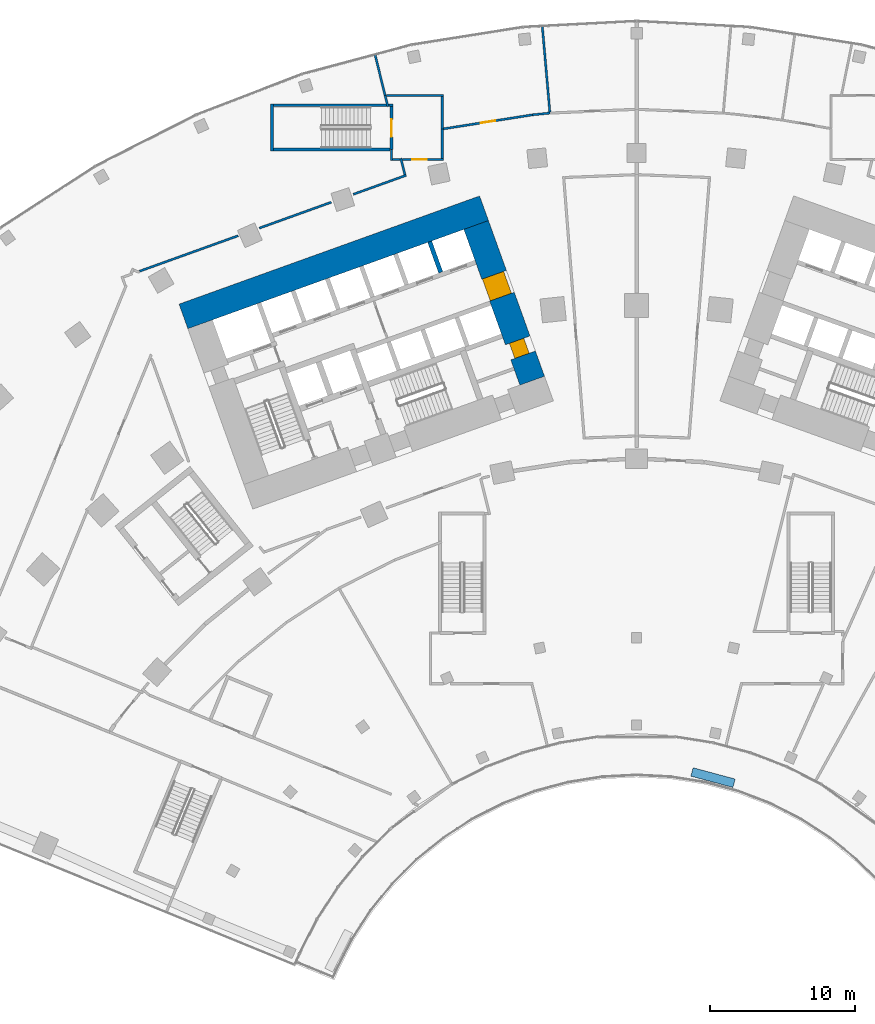
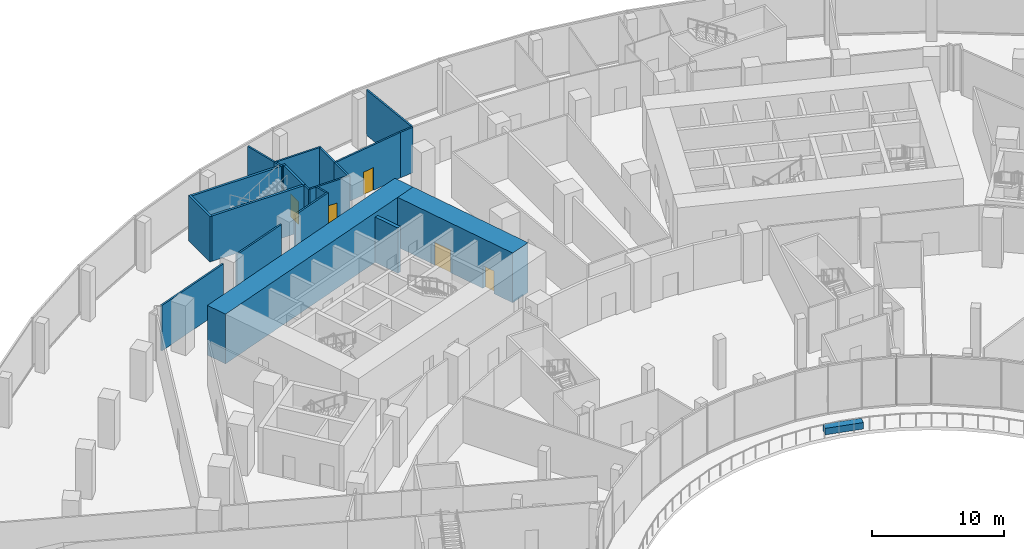
# One storey, part 24 of 39: 24 walls, 5 doors, 5 openings.
"""IFC4 building model written with IfcOpenShell, lengths in metres."""

from ifc_helpers import new_model, si_unit, direction, frame, frame_2d, origin, origin_2d, place, context, subcontext, project, spatial, rectangle, extrude, material, layer, layer_set, type_object, element, fill, save


model = new_model("IFC4")

# Units and contexts
model_context = context("Model", 3, precision=1e-05, world=origin(), true_north=direction((0.0, 1.0)))
body_context = subcontext(model_context, "Body", "Model", "MODEL_VIEW")
ifc_project = project(units=[si_unit("LENGTHUNIT", "METRE"), si_unit("AREAUNIT", "SQUARE_METRE"), si_unit("VOLUMEUNIT", "CUBIC_METRE"), si_unit("PLANEANGLEUNIT", "RADIAN"), si_unit("MASSUNIT", "GRAM", prefix="KILO")], contexts=[model_context])

# Site, building, storey
site_placement = place(None, origin())
site = spatial("IfcSite", under=ifc_project, at=site_placement, CompositionType="ELEMENT")
building_placement = place(site_placement, origin())
building = spatial("IfcBuilding", under=site, at=building_placement, Name="Stone Belt Terrace Tower", CompositionType="ELEMENT")
storey_placement = place(building_placement, frame((0.0, 0.0, 16.199951171875)))
storey = spatial("IfcBuildingStorey", under=building, at=storey_placement, Name="L03", CompositionType="ELEMENT", Elevation=16.199951171875)

# Wall
ifc_material_1 = material(Name="Concrete B80", Category="concrete")
ifc_layer_1 = layer(ifc_material_1, 1.800048828125)
ifc_layer_set_1 = layer_set([ifc_layer_1], Name="Core wall 1800 B80")
wall_type_1 = type_object("IfcWallType", Name="Core wall 1800 B80", PredefinedType="SHEAR", material=ifc_layer_set_1)
wall_1_placement = place(storey_placement, frame((-31.20947265625, 54.23583984375, 0.0), z_axis=(0.0, 0.0, 1.0), x_axis=(0.940922914687, 0.338620833112, 0.0)))
element("IfcWall", 1, at=wall_1_placement, inside=storey, type_object=wall_type_1, Name="Core A wall convex L03", PredefinedType="SHEAR", context=body_context, shape_type="SweptSolid", body=[
    extrude(rectangle(XDim=22.000244140625, YDim=1.800048828125, at=frame_2d((11.0, 0.0))), origin(), (0.0, 0.0, 1.0), 4.60009765625),
])

# Wall, openings, doors
wall_2_placement = place(storey_placement, frame((-7.19091796875, 49.8076171875, 0.0), z_axis=(0.0, 0.0, 1.0), x_axis=(-0.338632255135, 0.940918804033, 0.0)))
wall_2 = element("IfcWall", 2, at=wall_2_placement, inside=storey, type_object=wall_type_1, Name="Core A wall end_b L03", PredefinedType="SHEAR", context=body_context, shape_type="SweptSolid", body=[
    extrude(rectangle(XDim=11.39990234375, YDim=1.800048828125, at=frame_2d((5.699951171875, 0.0))), origin(), (0.0, 0.0, 1.0), 4.60009765625),
])
opening_1_placement = place(wall_2_placement, frame((6.14990234375, 0.0, 0.0)))
opening_1 = element("IfcOpeningElement", 3, at=opening_1_placement, cuts=wall_2, Name="Opening L03-C04", PredefinedType="OPENING", context=body_context, shape_type="SweptSolid", body=[
    extrude(rectangle(XDim=1.60009765625, YDim=2.10009765625, at=frame_2d((0.800048828125, 1.050048828125))), frame((0.0, 0.909912109375, 0.0), z_axis=(0.0, -1.0, 0.0), x_axis=(1.0, 0.0, 0.0)), (0.0, 0.0, 1.0), 1.820068359375),
])
opening_2_placement = place(wall_2_placement, frame((1.85009765625, 0.0, 0.0)))
opening_2 = element("IfcOpeningElement", 4, at=opening_2_placement, cuts=wall_2, Name="Opening L03-C10", PredefinedType="OPENING", context=body_context, shape_type="SweptSolid", body=[
    extrude(rectangle(XDim=1.10009765625, YDim=2.10009765625, at=frame_2d((0.550048828125, 1.050048828125))), frame((0.0, 0.909912109375, 0.0), z_axis=(0.0, -1.0, 0.0), x_axis=(1.0, 0.0, 0.0)), (0.0, 0.0, 1.0), 1.820068359375),
])
ifc_material_2 = material(Name="Timber door leaf", Category="wood")
door_type_1 = type_object("IfcDoorType", Name="Core room door 1100", OperationType="SINGLE_SWING_LEFT", PredefinedType="DOOR", material=ifc_material_2)
door_1_placement = place(opening_2_placement, origin())
door_1 = element("IfcDoor", 5, at=door_1_placement, inside=storey, type_object=door_type_1, Name="Door to Accessible WC core A", OperationType="SINGLE_SWING_LEFT", OverallHeight=2.10009765625, OverallWidth=1.10009765625, PredefinedType="DOOR", context=body_context, shape_type="SweptSolid", body=[
    extrude(rectangle(XDim=1.10009765625, YDim=2.10009765625, at=frame_2d((0.550048828125, 1.050048828125))), frame((0.0, 0.60498046875, 0.0), z_axis=(0.0, -1.0, 0.0), x_axis=(1.0, 0.0, 0.0)), (0.0, 0.0, 1.0), 1.050048828125),
])
fill(opening_2, door_1)
ifc_material_3 = material(Name="Glazed aluminium door leaf", Category="aluminium")
door_type_2 = type_object("IfcDoorType", Name="Lift lobby entrance door 1600", OperationType="DOUBLE_DOOR_SINGLE_SWING", PredefinedType="DOOR", material=ifc_material_3)
door_2_placement = place(opening_1_placement, origin())
door_2 = element("IfcDoor", 6, at=door_2_placement, inside=storey, type_object=door_type_2, Name="Lift lobby entrance door core A", OperationType="DOUBLE_DOOR_SINGLE_SWING", OverallHeight=2.10009765625, OverallWidth=1.60009765625, PredefinedType="DOOR", context=body_context, shape_type="SweptSolid", body=[
    extrude(rectangle(XDim=1.60009765625, YDim=2.10009765625, at=frame_2d((0.800048828125, 1.050048828125))), frame((0.0, 0.85498046875, 0.0), z_axis=(0.0, -1.0, 0.0), x_axis=(1.0, 0.0, 0.0)), (0.0, 0.0, 1.0), 1.550048828125),
])
fill(opening_1, door_2)

# Walls
ifc_layer_2 = layer(ifc_material_1, 0.300048828125)
ifc_layer_set_2 = layer_set([ifc_layer_2], Name="Lift shaft wall 300")
wall_type_2 = type_object("IfcWallType", Name="Lift shaft wall 300", PredefinedType="SHEAR", material=ifc_layer_set_2)
wall_3_placement = place(storey_placement, frame((-13.48828125, 57.265625, 0.0), z_axis=(0.0, 0.0, 1.0), x_axis=(-0.338631098537, 0.940919220286, 0.0)))
element("IfcWall", 7, at=wall_3_placement, inside=storey, type_object=wall_type_2, Name="Core A wall", PredefinedType="SHEAR", context=body_context, shape_type="SweptSolid", body=[
    extrude(rectangle(XDim=2.250244140625, YDim=0.300048828125, at=frame_2d((1.125, 0.0))), origin(), (0.0, 0.0, 1.0), 4.199951171875),
])
ifc_material_4 = material(Name="Precast concrete C40/50", Category="concrete")
ifc_layer_3 = layer(ifc_material_4, 0.60009765625)
ifc_layer_set_3 = layer_set([ifc_layer_3], Name="Planter box 600 x 600")
wall_type_3 = type_object("IfcWallType", Name="Planter box 600 x 600", PredefinedType="SOLIDWALL", material=ifc_layer_set_3)
wall_4_placement = place(storey_placement, frame((5.26220703125, 22.472900390625, 0.0), z_axis=(0.0, 0.0, 1.0), x_axis=(0.965925826289, -0.258819045103, 0.0)))
element("IfcWall", 8, at=wall_4_placement, inside=storey, type_object=wall_type_3, Name="PLANTER L03 2", PredefinedType="SOLIDWALL", context=body_context, shape_type="SweptSolid", body=[
    extrude(rectangle(XDim=3.0, YDim=0.60009765625, at=origin_2d()), origin(), (0.0, 0.0, 1.0), 0.60009765625),
])
ifc_material_5 = material(Name="Gypsum board on steel stud partition", Category="steel")
ifc_layer_4 = layer(ifc_material_5, 0.14990234375)
ifc_layer_set_4 = layer_set([ifc_layer_4], Name="Podium partition 150")
wall_type_4 = type_object("IfcWallType", Name="Podium partition 150", PredefinedType="PARTITIONING", material=ifc_layer_set_4)
wall_5_placement = place(storey_placement, frame((-34.232421875, 57.3486328125, 0.0), z_axis=(0.0, 0.0, 1.0), x_axis=(0.94095514048, 0.33853127419, 0.0)))
element("IfcWall", 9, at=wall_5_placement, inside=storey, type_object=wall_type_4, Name="Podium partition 150", PredefinedType="PARTITIONING", context=body_context, shape_type="SweptSolid", body=[
    extrude(rectangle(XDim=7.21240234375, YDim=0.14990234375, at=frame_2d((3.606201171875, 0.0))), origin(), (0.0, 0.0, 1.0), 4.199951171875),
])
wall_6_placement = place(storey_placement, frame((-25.989501953125, 60.314208984375, 0.0), z_axis=(0.0, 0.0, 1.0), x_axis=(0.940943450527, 0.338563764909, 0.0)))
element("IfcWall", 10, at=wall_6_placement, inside=storey, type_object=wall_type_4, Name="Podium partition 150", PredefinedType="PARTITIONING", context=body_context, shape_type="SweptSolid", body=[
    extrude(rectangle(XDim=5.27490234375, YDim=0.14990234375, at=frame_2d((2.637451171875, 0.0))), origin(), (0.0, 0.0, 1.0), 4.199951171875),
])
wall_7_placement = place(storey_placement, frame((-19.51220703125, 62.644775390625, 0.0), z_axis=(0.0, 0.0, 1.0), x_axis=(0.940946078866, 0.338556460088, 0.0)))
element("IfcWall", 11, at=wall_7_placement, inside=storey, type_object=wall_type_4, Name="Podium partition 150", PredefinedType="PARTITIONING", context=body_context, shape_type="SweptSolid", body=[
    extrude(rectangle(XDim=3.871826171875, YDim=0.14990234375, at=frame_2d((1.93603515625, 0.0))), origin(), (0.0, 0.0, 1.0), 4.199951171875),
])
wall_8_placement = place(storey_placement, frame((-18.021484375, 72.287353515625, 0.0), z_axis=(0.0, 0.0, 1.0), x_axis=(0.239999230178, -0.97077307828, 0.0)))
element("IfcWall", 12, at=wall_8_placement, inside=storey, type_object=wall_type_4, Name="Podium partition 150", PredefinedType="PARTITIONING", context=body_context, shape_type="SweptSolid", body=[
    extrude(rectangle(XDim=2.922607421875, YDim=0.14990234375, at=frame_2d((1.46142578125, 0.0))), origin(), (0.0, 0.0, 1.0), 4.199951171875),
])
wall_9_placement = place(storey_placement, frame((-17.31982421875, 69.44970703125, 0.0), z_axis=(0.0, 0.0, 1.0), x_axis=(0.245933809089, -0.969286625074, 0.0)))
element("IfcWall", 13, at=wall_9_placement, inside=storey, type_object=wall_type_4, Name="Podium partition 150", PredefinedType="PARTITIONING", context=body_context, shape_type="SweptSolid", body=[
    extrude(rectangle(XDim=0.794189453125, YDim=0.14990234375, at=frame_2d((0.39697265625, 0.0))), origin(), (0.0, 0.0, 1.0), 4.199951171875),
])
wall_10_placement = place(storey_placement, frame((-17.22265625, 69.449951171875, 0.0), z_axis=(0.0, 0.0, 1.0), x_axis=(1.0, 0.0, 0.0)))
element("IfcWall", 14, at=wall_10_placement, inside=storey, type_object=wall_type_4, Name="Podium partition 150", PredefinedType="PARTITIONING", context=body_context, shape_type="SweptSolid", body=[
    extrude(rectangle(XDim=3.90771484375, YDim=0.14990234375, at=frame_2d((1.953857421875, 0.0))), origin(), (0.0, 0.0, 1.0), 4.199951171875),
])
wall_11_placement = place(storey_placement, frame((-16.889892578125, 64.97509765625, 0.0), z_axis=(0.0, 0.0, 1.0), x_axis=(0.0, 1.0, 0.0)))
element("IfcWall", 15, at=wall_11_placement, inside=storey, type_object=wall_type_4, Name="Podium partition 150", PredefinedType="PARTITIONING", context=body_context, shape_type="SweptSolid", body=[
    extrude(rectangle(XDim=0.744873046875, YDim=0.14990234375, at=frame_2d((0.37255859375, 0.0))), origin(), (0.0, 0.0, 1.0), 4.199951171875),
])
wall_12_placement = place(storey_placement, frame((-16.81494140625, 65.050048828125, 0.0), z_axis=(0.0, 0.0, 1.0), x_axis=(1.0, 0.0, 0.0)))
element("IfcWall", 16, at=wall_12_placement, inside=storey, type_object=wall_type_4, Name="Podium partition 150", PredefinedType="PARTITIONING", context=body_context, shape_type="SweptSolid", body=[
    extrude(rectangle(XDim=0.5029296875, YDim=0.14990234375, at=frame_2d((0.25146484375, 0.0))), origin(), (0.0, 0.0, 1.0), 4.199951171875),
])
wall_13_placement = place(storey_placement, frame((-16.23876953125, 65.125, 0.0), z_axis=(0.0, 0.0, 1.0), x_axis=(0.242585301737, -0.970130079619, 0.0)))
element("IfcWall", 17, at=wall_13_placement, inside=storey, type_object=wall_type_4, Name="Podium partition 150", PredefinedType="PARTITIONING", context=body_context, shape_type="SweptSolid", body=[
    extrude(rectangle(XDim=1.15625, YDim=0.14990234375, at=frame_2d((0.578125, 0.0))), origin(), (0.0, 0.0, 1.0), 4.199951171875),
])

# Wall, opening, door
wall_14_placement = place(storey_placement, frame((-16.122802734375, 65.050048828125, 0.0), z_axis=(0.0, 0.0, 1.0), x_axis=(1.0, 0.0, 0.0)))
wall_14 = element("IfcWall", 18, at=wall_14_placement, inside=storey, type_object=wall_type_4, Name="Podium partition 150", PredefinedType="PARTITIONING", context=body_context, shape_type="SweptSolid", body=[
    extrude(rectangle(XDim=2.807861328125, YDim=0.14990234375, at=frame_2d((1.40380859375, 0.0))), origin(), (0.0, 0.0, 1.0), 4.199951171875),
])
opening_3_placement = place(wall_14_placement, frame((0.664794921875, 0.0, 0.0)))
opening_3 = element("IfcOpeningElement", 19, at=opening_3_placement, cuts=wall_14, Name="Opening L03-P39", PredefinedType="OPENING", context=body_context, shape_type="SweptSolid", body=[
    extrude(rectangle(XDim=1.0, YDim=2.10009765625, at=frame_2d((0.5, 1.050048828125))), frame((0.0, 0.0849609375, 0.0), z_axis=(0.0, -1.0, 0.0), x_axis=(1.0, 0.0, 0.0)), (0.0, 0.0, 1.0), 0.169921875),
])
ifc_material_6 = material(Name="Steel framed door leaf", Category="steel")
door_type_3 = type_object("IfcDoorType", Name="Podium door single 1000", OperationType="SINGLE_SWING_LEFT", PredefinedType="DOOR", material=ifc_material_6)
door_3_placement = place(opening_3_placement, origin())
door_3 = element("IfcDoor", 20, at=door_3_placement, inside=storey, type_object=door_type_3, Name="Podium door single 1000", OperationType="SINGLE_SWING_LEFT", OverallHeight=2.10009765625, OverallWidth=1.0, PredefinedType="DOOR", context=body_context, shape_type="SweptSolid", body=[
    extrude(rectangle(XDim=1.0, YDim=2.10009765625, at=frame_2d((0.5, 1.050048828125))), frame((0.0, 0.02490234375, 0.0), z_axis=(0.0, -1.0, 0.0), x_axis=(1.0, 0.0, 0.0)), (0.0, 0.0, 1.0), 0.050048828125),
])
fill(opening_3, door_3)

# Walls
wall_15_placement = place(storey_placement, frame((-13.389892578125, 65.125, 0.0), z_axis=(0.0, 0.0, 1.0), x_axis=(0.0, 1.0, 0.0)))
element("IfcWall", 21, at=wall_15_placement, inside=storey, type_object=wall_type_4, Name="Podium partition 150", PredefinedType="PARTITIONING", context=body_context, shape_type="SweptSolid", body=[
    extrude(rectangle(XDim=2.0048828125, YDim=0.14990234375, at=frame_2d((1.00244140625, 0.0))), origin(), (0.0, 0.0, 1.0), 4.199951171875),
])
wall_16_placement = place(storey_placement, frame((-13.389892578125, 67.1298828125, 0.0), z_axis=(0.0, 0.0, 1.0), x_axis=(0.0, 1.0, 0.0)))
element("IfcWall", 22, at=wall_16_placement, inside=storey, type_object=wall_type_4, Name="Podium partition 150", PredefinedType="PARTITIONING", context=body_context, shape_type="SweptSolid", body=[
    extrude(rectangle(XDim=2.2451171875, YDim=0.14990234375, at=frame_2d((1.12255859375, 0.0))), origin(), (0.0, 0.0, 1.0), 4.199951171875),
])

# Wall, opening, door
wall_17_placement = place(storey_placement, frame((-13.31494140625, 67.15185546875, 0.0), z_axis=(0.0, 0.0, 1.0), x_axis=(0.987854959905, 0.155378821564, 0.0)))
wall_17 = element("IfcWall", 23, at=wall_17_placement, inside=storey, type_object=wall_type_4, Name="Podium partition 150", PredefinedType="PARTITIONING", context=body_context, shape_type="SweptSolid", body=[
    extrude(rectangle(XDim=6.228515625, YDim=0.14990234375, at=frame_2d((3.1142578125, 0.0))), origin(), (0.0, 0.0, 1.0), 4.199951171875),
])
opening_4_placement = place(wall_17_placement, frame((2.6142578125, 0.0, 0.0)))
opening_4 = element("IfcOpeningElement", 24, at=opening_4_placement, cuts=wall_17, Name="Opening L03-P11", PredefinedType="OPENING", context=body_context, shape_type="SweptSolid", body=[
    extrude(rectangle(XDim=1.0, YDim=2.10009765625, at=frame_2d((0.5, 1.050048828125))), frame((0.0, 0.0849609375, 0.0), z_axis=(0.0, -1.0, 0.0), x_axis=(1.0, 0.0, 0.0)), (0.0, 0.0, 1.0), 0.169921875),
])
door_4_placement = place(opening_4_placement, origin())
door_4 = element("IfcDoor", 25, at=door_4_placement, inside=storey, type_object=door_type_3, Name="Podium door single 1000", OperationType="SINGLE_SWING_LEFT", OverallHeight=2.10009765625, OverallWidth=1.0, PredefinedType="DOOR", context=body_context, shape_type="SweptSolid", body=[
    extrude(rectangle(XDim=1.0, YDim=2.10009765625, at=frame_2d((0.5, 1.050048828125))), frame((0.0, 0.02490234375, 0.0), z_axis=(0.0, -1.0, 0.0), x_axis=(1.0, 0.0, 0.0)), (0.0, 0.0, 1.0), 0.050048828125),
])
fill(opening_4, door_4)

# Walls
wall_18_placement = place(storey_placement, frame((-7.157958984375, 68.1201171875, 0.0), z_axis=(0.0, 0.0, 1.0), x_axis=(0.994949595244, 0.100375808456, 0.0)))
element("IfcWall", 26, at=wall_18_placement, inside=storey, type_object=wall_type_4, Name="Podium partition 150", PredefinedType="PARTITIONING", context=body_context, shape_type="SweptSolid", body=[
    extrude(rectangle(XDim=1.19189453125, YDim=0.14990234375, at=frame_2d((0.595947265625, 0.0))), origin(), (0.0, 0.0, 1.0), 4.199951171875),
])
wall_19_placement = place(storey_placement, frame((-6.494873046875, 74.21630859375, 0.0), z_axis=(0.0, 0.0, 1.0), x_axis=(0.087488496258, -0.996165529931, 0.0)))
element("IfcWall", 27, at=wall_19_placement, inside=storey, type_object=wall_type_4, Name="Podium partition 150", PredefinedType="PARTITIONING", context=body_context, shape_type="SweptSolid", body=[
    extrude(rectangle(XDim=5.92431640625, YDim=0.14990234375, at=frame_2d((2.962158203125, 0.0))), origin(), (0.0, 0.0, 1.0), 4.199951171875),
])
ifc_material_7 = material(Name="Concrete B30", Category="concrete")
ifc_layer_5 = layer(ifc_material_7, 0.199951171875)
ifc_layer_set_5 = layer_set([ifc_layer_5], Name="Podium stair and shaft wall 200")
wall_type_5 = type_object("IfcWallType", Name="Podium stair and shaft wall 200", PredefinedType="SOLIDWALL", material=ifc_layer_set_5)
wall_20_placement = place(storey_placement, frame((-25.110107421875, 65.6201171875, 0.0), z_axis=(0.0, 0.0, 1.0), x_axis=(0.0, 1.0, 0.0)))
element("IfcWall", 28, at=wall_20_placement, inside=storey, type_object=wall_type_5, Name="Podium stair and shaft wall 200", PredefinedType="SOLIDWALL", context=body_context, shape_type="SweptSolid", body=[
    extrude(rectangle(XDim=3.259765625, YDim=0.199951171875, at=frame_2d((1.6298828125, 0.0))), origin(), (0.0, 0.0, 1.0), 4.199951171875),
])
wall_21_placement = place(storey_placement, frame((-25.010009765625, 65.719970703125, 0.0), z_axis=(0.0, 0.0, 1.0), x_axis=(1.0, 0.0, 0.0)))
element("IfcWall", 29, at=wall_21_placement, inside=storey, type_object=wall_type_5, Name="Podium stair and shaft wall 200", PredefinedType="SOLIDWALL", context=body_context, shape_type="SweptSolid", body=[
    extrude(rectangle(XDim=8.02001953125, YDim=0.199951171875, at=frame_2d((4.010009765625, 0.0))), origin(), (0.0, 0.0, 1.0), 4.199951171875),
])
wall_22_placement = place(storey_placement, frame((-25.010009765625, 68.780029296875, 0.0), z_axis=(0.0, 0.0, 1.0), x_axis=(1.0, 0.0, 0.0)))
element("IfcWall", 30, at=wall_22_placement, inside=storey, type_object=wall_type_5, Name="Podium stair and shaft wall 200", PredefinedType="SOLIDWALL", context=body_context, shape_type="SweptSolid", body=[
    extrude(rectangle(XDim=7.95947265625, YDim=0.199951171875, at=frame_2d((3.979736328125, 0.0))), origin(), (0.0, 0.0, 1.0), 4.199951171875),
])
wall_23_placement = place(storey_placement, frame((-17.050537109375, 68.780029296875, 0.0), z_axis=(0.0, 0.0, 1.0), x_axis=(1.0, 0.0, 0.0)))
element("IfcWall", 31, at=wall_23_placement, inside=storey, type_object=wall_type_5, Name="Podium stair and shaft wall 200", PredefinedType="SOLIDWALL", context=body_context, shape_type="SweptSolid", body=[
    extrude(rectangle(XDim=0.260498046875, YDim=0.199951171875, at=frame_2d((0.13037109375, 0.0))), origin(), (0.0, 0.0, 1.0), 4.199951171875),
])

# Wall, opening, door
wall_24_placement = place(storey_placement, frame((-16.889892578125, 65.719970703125, 0.0), z_axis=(0.0, 0.0, 1.0), x_axis=(0.0, 1.0, 0.0)))
wall_24 = element("IfcWall", 32, at=wall_24_placement, inside=storey, type_object=wall_type_5, Name="Podium stair and shaft wall 200", PredefinedType="SOLIDWALL", context=body_context, shape_type="SweptSolid", body=[
    extrude(rectangle(XDim=2.9599609375, YDim=0.199951171875, at=frame_2d((1.47998046875, 0.0))), origin(), (0.0, 0.0, 1.0), 4.199951171875),
])
opening_5_placement = place(wall_24_placement, frame((0.8798828125, 0.0, 0.0)))
opening_5 = element("IfcOpeningElement", 33, at=opening_5_placement, cuts=wall_24, Name="Opening L03-P07", PredefinedType="OPENING", context=body_context, shape_type="SweptSolid", body=[
    extrude(rectangle(XDim=1.199951171875, YDim=2.10009765625, at=frame_2d((0.60009765625, 1.050048828125))), frame((0.0, 0.10986328125, 0.0), z_axis=(0.0, -1.0, 0.0), x_axis=(1.0, 0.0, 0.0)), (0.0, 0.0, 1.0), 0.219970703125),
])
door_type_4 = type_object("IfcDoorType", Name="Podium door fire stair 1200", OperationType="SINGLE_SWING_LEFT", PredefinedType="DOOR", material=ifc_material_6)
door_5_placement = place(opening_5_placement, origin())
door_5 = element("IfcDoor", 34, at=door_5_placement, inside=storey, type_object=door_type_4, Name="Podium door fire stair 1200", OperationType="SINGLE_SWING_LEFT", OverallHeight=2.10009765625, OverallWidth=1.199951171875, PredefinedType="DOOR", context=body_context, shape_type="SweptSolid", body=[
    extrude(rectangle(XDim=1.199951171875, YDim=2.10009765625, at=frame_2d((0.60009765625, 1.050048828125))), frame((0.0, 0.02490234375, 0.0), z_axis=(0.0, -1.0, 0.0), x_axis=(1.0, 0.0, 0.0)), (0.0, 0.0, 1.0), 0.050048828125),
])
fill(opening_5, door_5)

save(model, "model.ifc")
